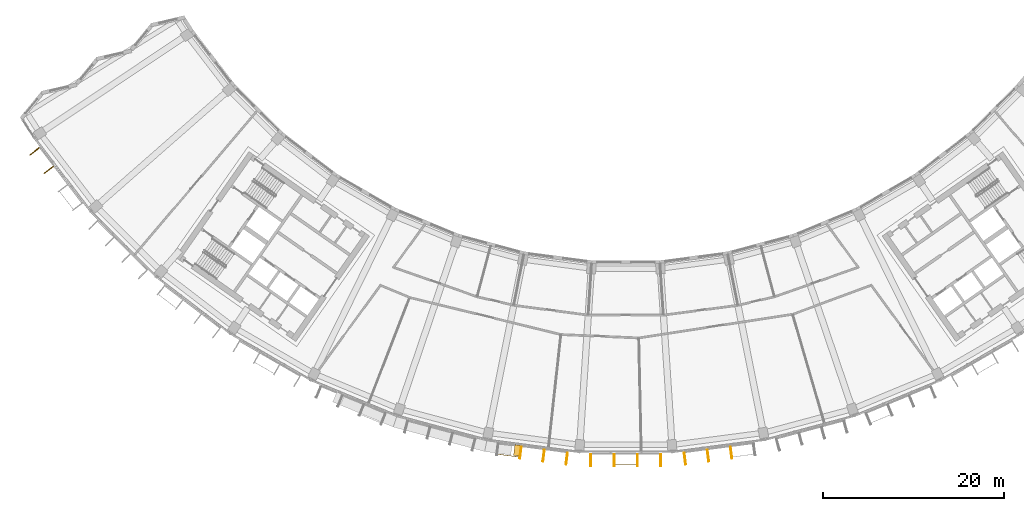
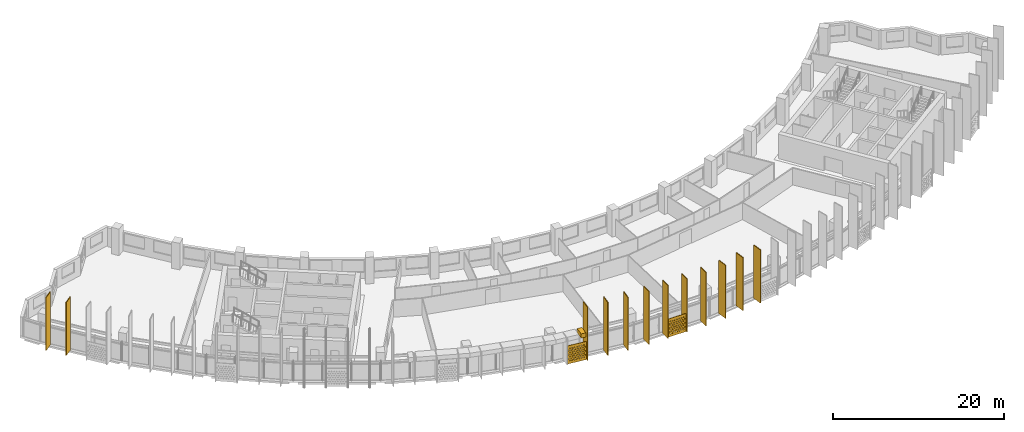
# One storey, part 25 of 28: 15 shading devices.
"""IFC4 building model written with IfcOpenShell, lengths in metres."""

from ifc_helpers import new_model, si_unit, direction, frame, origin, origin_2d, place, context, subcontext, project, spatial, polyline, rectangle, outline, extrude, material, material_profile, profile_set, type_object, element, save


model = new_model("IFC4")

# Units and contexts
model_context = context("Model", 3, precision=1e-05, world=origin(), true_north=direction((0.0, 1.0)))
body_context = subcontext(model_context, "Body", "Model", "MODEL_VIEW")
ifc_project = project(units=[si_unit("LENGTHUNIT", "METRE"), si_unit("AREAUNIT", "SQUARE_METRE"), si_unit("VOLUMEUNIT", "CUBIC_METRE"), si_unit("PLANEANGLEUNIT", "RADIAN"), si_unit("MASSUNIT", "GRAM", prefix="KILO")], contexts=[model_context])

# Site, building, storey
site_placement = place(None, origin())
site = spatial("IfcSite", under=ifc_project, at=site_placement, CompositionType="ELEMENT")
building_placement = place(site_placement, origin())
building = spatial("IfcBuilding", under=site, at=building_placement, Name="Qamariyya Broadcast Tower", CompositionType="ELEMENT")
storey_placement = place(building_placement, frame((0.0, 0.0, 226.5)))
storey = spatial("IfcBuildingStorey", under=building, at=storey_placement, Name="L54", CompositionType="ELEMENT", Elevation=226.5)

# Shading devices
ifc_material_1 = material(Name="Steel S355 powder coated deep red", Category="steel")
shading_device_type_1 = type_object("IfcShadingDeviceType", Name="Deep red frame, powder coated steel box section", PredefinedType="USERDEFINED", material=ifc_material_1)
shading_device_1_placement = place(storey_placement, frame((0.0, 0.0, 3.199951171875)))
element("IfcShadingDevice", 1, at=shading_device_1_placement, inside=storey, type_object=shading_device_type_1, Name="e-frm-B4-F1-postb-L54", ObjectType="FRAME", PredefinedType="USERDEFINED", context=body_context, shape_type="SweptSolid", body=[
    extrude(outline(polyline([(-12.2412109375, -77.547119140625), (-12.39794921875, -78.737060546875), (-11.802978515625, -78.815185546875), (-11.646484375, -77.62548828125), (-12.2412109375, -77.547119140625)])), origin(), (0.0, 0.0, 1.0), 0.60009765625),
])
ifc_material_2 = material(Name="Perforated glazed terracotta", Category="masonry")
ifc_material_profile_1 = material_profile(ifc_material_2, outline(polyline([(-1.199951171875, -1.300048828125), (1.199951171875, -1.300048828125), (1.199951171875, 1.300048828125), (-1.199951171875, 1.300048828125), (-1.199951171875, -1.300048828125)]), holes=[polyline([(-0.81494140625, -0.86669921875), (-0.89990234375, -0.78173828125), (-0.985107421875, -0.86669921875), (-0.89990234375, -0.95166015625), (-0.81494140625, -0.86669921875)]), polyline([(-0.514892578125, -0.86669921875), (-0.60009765625, -0.78173828125), (-0.68505859375, -0.86669921875), (-0.60009765625, -0.95166015625), (-0.514892578125, -0.86669921875)]), polyline([(-0.215087890625, -0.86669921875), (-0.300048828125, -0.78173828125), (-0.385009765625, -0.86669921875), (-0.300048828125, -0.95166015625), (-0.215087890625, -0.86669921875)]), polyline([(0.0849609375, -0.86669921875), (0.0, -0.78173828125), (-0.0849609375, -0.86669921875), (0.0, -0.95166015625), (0.0849609375, -0.86669921875)]), polyline([(0.385009765625, -0.86669921875), (0.300048828125, -0.78173828125), (0.215087890625, -0.86669921875), (0.300048828125, -0.95166015625), (0.385009765625, -0.86669921875)]), polyline([(0.68505859375, -0.86669921875), (0.60009765625, -0.78173828125), (0.514892578125, -0.86669921875), (0.60009765625, -0.95166015625), (0.68505859375, -0.86669921875)]), polyline([(0.985107421875, -0.86669921875), (0.89990234375, -0.78173828125), (0.81494140625, -0.86669921875), (0.89990234375, -0.95166015625), (0.985107421875, -0.86669921875)]), polyline([(-0.965087890625, -0.577880859375), (-1.050048828125, -0.49267578125), (-1.135009765625, -0.577880859375), (-1.050048828125, -0.662841796875), (-0.965087890625, -0.577880859375)]), polyline([(-0.6650390625, -0.577880859375), (-0.75, -0.49267578125), (-0.8349609375, -0.577880859375), (-0.75, -0.662841796875), (-0.6650390625, -0.577880859375)]), polyline([(-0.364990234375, -0.577880859375), (-0.449951171875, -0.49267578125), (-0.534912109375, -0.577880859375), (-0.449951171875, -0.662841796875), (-0.364990234375, -0.577880859375)]), polyline([(-0.06494140625, -0.577880859375), (-0.14990234375, -0.49267578125), (-0.235107421875, -0.577880859375), (-0.14990234375, -0.662841796875), (-0.06494140625, -0.577880859375)]), polyline([(0.235107421875, -0.577880859375), (0.14990234375, -0.49267578125), (0.06494140625, -0.577880859375), (0.14990234375, -0.662841796875), (0.235107421875, -0.577880859375)]), polyline([(0.534912109375, -0.577880859375), (0.449951171875, -0.49267578125), (0.364990234375, -0.577880859375), (0.449951171875, -0.662841796875), (0.534912109375, -0.577880859375)]), polyline([(0.8349609375, -0.577880859375), (0.75, -0.49267578125), (0.6650390625, -0.577880859375), (0.75, -0.662841796875), (0.8349609375, -0.577880859375)]), polyline([(1.135009765625, -0.577880859375), (1.050048828125, -0.49267578125), (0.965087890625, -0.577880859375), (1.050048828125, -0.662841796875), (1.135009765625, -0.577880859375)]), polyline([(-0.81494140625, -0.288818359375), (-0.89990234375, -0.203857421875), (-0.985107421875, -0.288818359375), (-0.89990234375, -0.373779296875), (-0.81494140625, -0.288818359375)]), polyline([(-0.514892578125, -0.288818359375), (-0.60009765625, -0.203857421875), (-0.68505859375, -0.288818359375), (-0.60009765625, -0.373779296875), (-0.514892578125, -0.288818359375)]), polyline([(-0.215087890625, -0.288818359375), (-0.300048828125, -0.203857421875), (-0.385009765625, -0.288818359375), (-0.300048828125, -0.373779296875), (-0.215087890625, -0.288818359375)]), polyline([(0.0849609375, -0.288818359375), (0.0, -0.203857421875), (-0.0849609375, -0.288818359375), (0.0, -0.373779296875), (0.0849609375, -0.288818359375)]), polyline([(0.385009765625, -0.288818359375), (0.300048828125, -0.203857421875), (0.215087890625, -0.288818359375), (0.300048828125, -0.373779296875), (0.385009765625, -0.288818359375)]), polyline([(0.68505859375, -0.288818359375), (0.60009765625, -0.203857421875), (0.514892578125, -0.288818359375), (0.60009765625, -0.373779296875), (0.68505859375, -0.288818359375)]), polyline([(0.985107421875, -0.288818359375), (0.89990234375, -0.203857421875), (0.81494140625, -0.288818359375), (0.89990234375, -0.373779296875), (0.985107421875, -0.288818359375)]), polyline([(-0.965087890625, 0.0), (-1.050048828125, 0.0849609375), (-1.135009765625, 0.0), (-1.050048828125, -0.0849609375), (-0.965087890625, 0.0)]), polyline([(-0.6650390625, 0.0), (-0.75, 0.0849609375), (-0.8349609375, 0.0), (-0.75, -0.0849609375), (-0.6650390625, 0.0)]), polyline([(-0.364990234375, 0.0), (-0.449951171875, 0.0849609375), (-0.534912109375, 0.0), (-0.449951171875, -0.0849609375), (-0.364990234375, 0.0)]), polyline([(-0.06494140625, 0.0), (-0.14990234375, 0.0849609375), (-0.235107421875, 0.0), (-0.14990234375, -0.0849609375), (-0.06494140625, 0.0)]), polyline([(0.235107421875, 0.0), (0.14990234375, 0.0849609375), (0.06494140625, 0.0), (0.14990234375, -0.0849609375), (0.235107421875, 0.0)]), polyline([(0.534912109375, 0.0), (0.449951171875, 0.0849609375), (0.364990234375, 0.0), (0.449951171875, -0.0849609375), (0.534912109375, 0.0)]), polyline([(0.8349609375, 0.0), (0.75, 0.0849609375), (0.6650390625, 0.0), (0.75, -0.0849609375), (0.8349609375, 0.0)]), polyline([(1.135009765625, 0.0), (1.050048828125, 0.0849609375), (0.965087890625, 0.0), (1.050048828125, -0.0849609375), (1.135009765625, 0.0)]), polyline([(-0.81494140625, 0.288818359375), (-0.89990234375, 0.373779296875), (-0.985107421875, 0.288818359375), (-0.89990234375, 0.203857421875), (-0.81494140625, 0.288818359375)]), polyline([(-0.514892578125, 0.288818359375), (-0.60009765625, 0.373779296875), (-0.68505859375, 0.288818359375), (-0.60009765625, 0.203857421875), (-0.514892578125, 0.288818359375)]), polyline([(-0.215087890625, 0.288818359375), (-0.300048828125, 0.373779296875), (-0.385009765625, 0.288818359375), (-0.300048828125, 0.203857421875), (-0.215087890625, 0.288818359375)]), polyline([(0.0849609375, 0.288818359375), (0.0, 0.373779296875), (-0.0849609375, 0.288818359375), (0.0, 0.203857421875), (0.0849609375, 0.288818359375)]), polyline([(0.385009765625, 0.288818359375), (0.300048828125, 0.373779296875), (0.215087890625, 0.288818359375), (0.300048828125, 0.203857421875), (0.385009765625, 0.288818359375)]), polyline([(0.68505859375, 0.288818359375), (0.60009765625, 0.373779296875), (0.514892578125, 0.288818359375), (0.60009765625, 0.203857421875), (0.68505859375, 0.288818359375)]), polyline([(0.985107421875, 0.288818359375), (0.89990234375, 0.373779296875), (0.81494140625, 0.288818359375), (0.89990234375, 0.203857421875), (0.985107421875, 0.288818359375)]), polyline([(-0.965087890625, 0.577880859375), (-1.050048828125, 0.662841796875), (-1.135009765625, 0.577880859375), (-1.050048828125, 0.49267578125), (-0.965087890625, 0.577880859375)]), polyline([(-0.6650390625, 0.577880859375), (-0.75, 0.662841796875), (-0.8349609375, 0.577880859375), (-0.75, 0.49267578125), (-0.6650390625, 0.577880859375)]), polyline([(-0.364990234375, 0.577880859375), (-0.449951171875, 0.662841796875), (-0.534912109375, 0.577880859375), (-0.449951171875, 0.49267578125), (-0.364990234375, 0.577880859375)]), polyline([(-0.06494140625, 0.577880859375), (-0.14990234375, 0.662841796875), (-0.235107421875, 0.577880859375), (-0.14990234375, 0.49267578125), (-0.06494140625, 0.577880859375)]), polyline([(0.235107421875, 0.577880859375), (0.14990234375, 0.662841796875), (0.06494140625, 0.577880859375), (0.14990234375, 0.49267578125), (0.235107421875, 0.577880859375)]), polyline([(0.534912109375, 0.577880859375), (0.449951171875, 0.662841796875), (0.364990234375, 0.577880859375), (0.449951171875, 0.49267578125), (0.534912109375, 0.577880859375)]), polyline([(0.8349609375, 0.577880859375), (0.75, 0.662841796875), (0.6650390625, 0.577880859375), (0.75, 0.49267578125), (0.8349609375, 0.577880859375)]), polyline([(1.135009765625, 0.577880859375), (1.050048828125, 0.662841796875), (0.965087890625, 0.577880859375), (1.050048828125, 0.49267578125), (1.135009765625, 0.577880859375)]), polyline([(-0.81494140625, 0.86669921875), (-0.89990234375, 0.95166015625), (-0.985107421875, 0.86669921875), (-0.89990234375, 0.78173828125), (-0.81494140625, 0.86669921875)]), polyline([(-0.514892578125, 0.86669921875), (-0.60009765625, 0.95166015625), (-0.68505859375, 0.86669921875), (-0.60009765625, 0.78173828125), (-0.514892578125, 0.86669921875)]), polyline([(-0.215087890625, 0.86669921875), (-0.300048828125, 0.95166015625), (-0.385009765625, 0.86669921875), (-0.300048828125, 0.78173828125), (-0.215087890625, 0.86669921875)]), polyline([(0.0849609375, 0.86669921875), (0.0, 0.95166015625), (-0.0849609375, 0.86669921875), (0.0, 0.78173828125), (0.0849609375, 0.86669921875)]), polyline([(0.385009765625, 0.86669921875), (0.300048828125, 0.95166015625), (0.215087890625, 0.86669921875), (0.300048828125, 0.78173828125), (0.385009765625, 0.86669921875)]), polyline([(0.68505859375, 0.86669921875), (0.60009765625, 0.95166015625), (0.514892578125, 0.86669921875), (0.60009765625, 0.78173828125), (0.68505859375, 0.86669921875)]), polyline([(0.985107421875, 0.86669921875), (0.89990234375, 0.95166015625), (0.81494140625, 0.86669921875), (0.89990234375, 0.78173828125), (0.985107421875, 0.86669921875)])]))
ifc_profile_set_1 = profile_set([ifc_material_profile_1], Name="Perforated glazed terracotta")
shading_device_type_2 = type_object("IfcShadingDeviceType", Name="Perforated terracotta screen 2400 x 2600", PredefinedType="USERDEFINED", material=ifc_profile_set_1)
shading_device_2_placement = place(storey_placement, frame((-12.995361328125, -78.72900390625, 1.35009765625), z_axis=(-0.13056005306, -0.991440402921, 0.0), x_axis=(0.991440402921, -0.13056005306, 0.0)))
element("IfcShadingDevice", 2, at=shading_device_2_placement, inside=storey, type_object=shading_device_type_2, Name="e-scr-L54-07-0", ObjectType="SCREEN", PredefinedType="USERDEFINED", context=body_context, shape_type="SweptSolid", body=[
    extrude(outline(polyline([(-1.199951171875, -1.300048828125), (1.199951171875, -1.300048828125), (1.199951171875, 1.300048828125), (-1.199951171875, 1.300048828125), (-1.199951171875, -1.300048828125)]), holes=[polyline([(-0.81494140625, -0.86669921875), (-0.89990234375, -0.78173828125), (-0.985107421875, -0.86669921875), (-0.89990234375, -0.95166015625), (-0.81494140625, -0.86669921875)]), polyline([(-0.514892578125, -0.86669921875), (-0.60009765625, -0.78173828125), (-0.68505859375, -0.86669921875), (-0.60009765625, -0.95166015625), (-0.514892578125, -0.86669921875)]), polyline([(-0.215087890625, -0.86669921875), (-0.300048828125, -0.78173828125), (-0.385009765625, -0.86669921875), (-0.300048828125, -0.95166015625), (-0.215087890625, -0.86669921875)]), polyline([(0.0849609375, -0.86669921875), (0.0, -0.78173828125), (-0.0849609375, -0.86669921875), (0.0, -0.95166015625), (0.0849609375, -0.86669921875)]), polyline([(0.385009765625, -0.86669921875), (0.300048828125, -0.78173828125), (0.215087890625, -0.86669921875), (0.300048828125, -0.95166015625), (0.385009765625, -0.86669921875)]), polyline([(0.68505859375, -0.86669921875), (0.60009765625, -0.78173828125), (0.514892578125, -0.86669921875), (0.60009765625, -0.95166015625), (0.68505859375, -0.86669921875)]), polyline([(0.985107421875, -0.86669921875), (0.89990234375, -0.78173828125), (0.81494140625, -0.86669921875), (0.89990234375, -0.95166015625), (0.985107421875, -0.86669921875)]), polyline([(-0.965087890625, -0.577880859375), (-1.050048828125, -0.49267578125), (-1.135009765625, -0.577880859375), (-1.050048828125, -0.662841796875), (-0.965087890625, -0.577880859375)]), polyline([(-0.6650390625, -0.577880859375), (-0.75, -0.49267578125), (-0.8349609375, -0.577880859375), (-0.75, -0.662841796875), (-0.6650390625, -0.577880859375)]), polyline([(-0.364990234375, -0.577880859375), (-0.449951171875, -0.49267578125), (-0.534912109375, -0.577880859375), (-0.449951171875, -0.662841796875), (-0.364990234375, -0.577880859375)]), polyline([(-0.06494140625, -0.577880859375), (-0.14990234375, -0.49267578125), (-0.235107421875, -0.577880859375), (-0.14990234375, -0.662841796875), (-0.06494140625, -0.577880859375)]), polyline([(0.235107421875, -0.577880859375), (0.14990234375, -0.49267578125), (0.06494140625, -0.577880859375), (0.14990234375, -0.662841796875), (0.235107421875, -0.577880859375)]), polyline([(0.534912109375, -0.577880859375), (0.449951171875, -0.49267578125), (0.364990234375, -0.577880859375), (0.449951171875, -0.662841796875), (0.534912109375, -0.577880859375)]), polyline([(0.8349609375, -0.577880859375), (0.75, -0.49267578125), (0.6650390625, -0.577880859375), (0.75, -0.662841796875), (0.8349609375, -0.577880859375)]), polyline([(1.135009765625, -0.577880859375), (1.050048828125, -0.49267578125), (0.965087890625, -0.577880859375), (1.050048828125, -0.662841796875), (1.135009765625, -0.577880859375)]), polyline([(-0.81494140625, -0.288818359375), (-0.89990234375, -0.203857421875), (-0.985107421875, -0.288818359375), (-0.89990234375, -0.373779296875), (-0.81494140625, -0.288818359375)]), polyline([(-0.514892578125, -0.288818359375), (-0.60009765625, -0.203857421875), (-0.68505859375, -0.288818359375), (-0.60009765625, -0.373779296875), (-0.514892578125, -0.288818359375)]), polyline([(-0.215087890625, -0.288818359375), (-0.300048828125, -0.203857421875), (-0.385009765625, -0.288818359375), (-0.300048828125, -0.373779296875), (-0.215087890625, -0.288818359375)]), polyline([(0.0849609375, -0.288818359375), (0.0, -0.203857421875), (-0.0849609375, -0.288818359375), (0.0, -0.373779296875), (0.0849609375, -0.288818359375)]), polyline([(0.385009765625, -0.288818359375), (0.300048828125, -0.203857421875), (0.215087890625, -0.288818359375), (0.300048828125, -0.373779296875), (0.385009765625, -0.288818359375)]), polyline([(0.68505859375, -0.288818359375), (0.60009765625, -0.203857421875), (0.514892578125, -0.288818359375), (0.60009765625, -0.373779296875), (0.68505859375, -0.288818359375)]), polyline([(0.985107421875, -0.288818359375), (0.89990234375, -0.203857421875), (0.81494140625, -0.288818359375), (0.89990234375, -0.373779296875), (0.985107421875, -0.288818359375)]), polyline([(-0.965087890625, 0.0), (-1.050048828125, 0.0849609375), (-1.135009765625, 0.0), (-1.050048828125, -0.0849609375), (-0.965087890625, 0.0)]), polyline([(-0.6650390625, 0.0), (-0.75, 0.0849609375), (-0.8349609375, 0.0), (-0.75, -0.0849609375), (-0.6650390625, 0.0)]), polyline([(-0.364990234375, 0.0), (-0.449951171875, 0.0849609375), (-0.534912109375, 0.0), (-0.449951171875, -0.0849609375), (-0.364990234375, 0.0)]), polyline([(-0.06494140625, 0.0), (-0.14990234375, 0.0849609375), (-0.235107421875, 0.0), (-0.14990234375, -0.0849609375), (-0.06494140625, 0.0)]), polyline([(0.235107421875, 0.0), (0.14990234375, 0.0849609375), (0.06494140625, 0.0), (0.14990234375, -0.0849609375), (0.235107421875, 0.0)]), polyline([(0.534912109375, 0.0), (0.449951171875, 0.0849609375), (0.364990234375, 0.0), (0.449951171875, -0.0849609375), (0.534912109375, 0.0)]), polyline([(0.8349609375, 0.0), (0.75, 0.0849609375), (0.6650390625, 0.0), (0.75, -0.0849609375), (0.8349609375, 0.0)]), polyline([(1.135009765625, 0.0), (1.050048828125, 0.0849609375), (0.965087890625, 0.0), (1.050048828125, -0.0849609375), (1.135009765625, 0.0)]), polyline([(-0.81494140625, 0.288818359375), (-0.89990234375, 0.373779296875), (-0.985107421875, 0.288818359375), (-0.89990234375, 0.203857421875), (-0.81494140625, 0.288818359375)]), polyline([(-0.514892578125, 0.288818359375), (-0.60009765625, 0.373779296875), (-0.68505859375, 0.288818359375), (-0.60009765625, 0.203857421875), (-0.514892578125, 0.288818359375)]), polyline([(-0.215087890625, 0.288818359375), (-0.300048828125, 0.373779296875), (-0.385009765625, 0.288818359375), (-0.300048828125, 0.203857421875), (-0.215087890625, 0.288818359375)]), polyline([(0.0849609375, 0.288818359375), (0.0, 0.373779296875), (-0.0849609375, 0.288818359375), (0.0, 0.203857421875), (0.0849609375, 0.288818359375)]), polyline([(0.385009765625, 0.288818359375), (0.300048828125, 0.373779296875), (0.215087890625, 0.288818359375), (0.300048828125, 0.203857421875), (0.385009765625, 0.288818359375)]), polyline([(0.68505859375, 0.288818359375), (0.60009765625, 0.373779296875), (0.514892578125, 0.288818359375), (0.60009765625, 0.203857421875), (0.68505859375, 0.288818359375)]), polyline([(0.985107421875, 0.288818359375), (0.89990234375, 0.373779296875), (0.81494140625, 0.288818359375), (0.89990234375, 0.203857421875), (0.985107421875, 0.288818359375)]), polyline([(-0.965087890625, 0.577880859375), (-1.050048828125, 0.662841796875), (-1.135009765625, 0.577880859375), (-1.050048828125, 0.49267578125), (-0.965087890625, 0.577880859375)]), polyline([(-0.6650390625, 0.577880859375), (-0.75, 0.662841796875), (-0.8349609375, 0.577880859375), (-0.75, 0.49267578125), (-0.6650390625, 0.577880859375)]), polyline([(-0.364990234375, 0.577880859375), (-0.449951171875, 0.662841796875), (-0.534912109375, 0.577880859375), (-0.449951171875, 0.49267578125), (-0.364990234375, 0.577880859375)]), polyline([(-0.06494140625, 0.577880859375), (-0.14990234375, 0.662841796875), (-0.235107421875, 0.577880859375), (-0.14990234375, 0.49267578125), (-0.06494140625, 0.577880859375)]), polyline([(0.235107421875, 0.577880859375), (0.14990234375, 0.662841796875), (0.06494140625, 0.577880859375), (0.14990234375, 0.49267578125), (0.235107421875, 0.577880859375)]), polyline([(0.534912109375, 0.577880859375), (0.449951171875, 0.662841796875), (0.364990234375, 0.577880859375), (0.449951171875, 0.49267578125), (0.534912109375, 0.577880859375)]), polyline([(0.8349609375, 0.577880859375), (0.75, 0.662841796875), (0.6650390625, 0.577880859375), (0.75, 0.49267578125), (0.8349609375, 0.577880859375)]), polyline([(1.135009765625, 0.577880859375), (1.050048828125, 0.662841796875), (0.965087890625, 0.577880859375), (1.050048828125, 0.49267578125), (1.135009765625, 0.577880859375)]), polyline([(-0.81494140625, 0.86669921875), (-0.89990234375, 0.95166015625), (-0.985107421875, 0.86669921875), (-0.89990234375, 0.78173828125), (-0.81494140625, 0.86669921875)]), polyline([(-0.514892578125, 0.86669921875), (-0.60009765625, 0.95166015625), (-0.68505859375, 0.86669921875), (-0.60009765625, 0.78173828125), (-0.514892578125, 0.86669921875)]), polyline([(-0.215087890625, 0.86669921875), (-0.300048828125, 0.95166015625), (-0.385009765625, 0.86669921875), (-0.300048828125, 0.78173828125), (-0.215087890625, 0.86669921875)]), polyline([(0.0849609375, 0.86669921875), (0.0, 0.95166015625), (-0.0849609375, 0.86669921875), (0.0, 0.78173828125), (0.0849609375, 0.86669921875)]), polyline([(0.385009765625, 0.86669921875), (0.300048828125, 0.95166015625), (0.215087890625, 0.86669921875), (0.300048828125, 0.78173828125), (0.385009765625, 0.86669921875)]), polyline([(0.68505859375, 0.86669921875), (0.60009765625, 0.95166015625), (0.514892578125, 0.86669921875), (0.60009765625, 0.78173828125), (0.68505859375, 0.86669921875)]), polyline([(0.985107421875, 0.86669921875), (0.89990234375, 0.95166015625), (0.81494140625, 0.86669921875), (0.89990234375, 0.78173828125), (0.985107421875, 0.86669921875)])]), origin(), (0.0, 0.0, 1.0), 0.059814453125),
])
shading_device_3_placement = place(storey_placement, frame((-0.035888671875, -79.751708984375, 1.35009765625), z_axis=(0.0, -1.0, 0.0), x_axis=(1.0, 0.0, 0.0)))
element("IfcShadingDevice", 3, at=shading_device_3_placement, inside=storey, type_object=shading_device_type_2, Name="e-scr-L54-08-1", ObjectType="SCREEN", PredefinedType="USERDEFINED", context=body_context, shape_type="SweptSolid", body=[
    extrude(outline(polyline([(-1.199951171875, -1.300048828125), (1.199951171875, -1.300048828125), (1.199951171875, 1.300048828125), (-1.199951171875, 1.300048828125), (-1.199951171875, -1.300048828125)]), holes=[polyline([(-0.81494140625, -0.86669921875), (-0.89990234375, -0.78173828125), (-0.985107421875, -0.86669921875), (-0.89990234375, -0.95166015625), (-0.81494140625, -0.86669921875)]), polyline([(-0.514892578125, -0.86669921875), (-0.60009765625, -0.78173828125), (-0.68505859375, -0.86669921875), (-0.60009765625, -0.95166015625), (-0.514892578125, -0.86669921875)]), polyline([(-0.215087890625, -0.86669921875), (-0.300048828125, -0.78173828125), (-0.385009765625, -0.86669921875), (-0.300048828125, -0.95166015625), (-0.215087890625, -0.86669921875)]), polyline([(0.0849609375, -0.86669921875), (0.0, -0.78173828125), (-0.0849609375, -0.86669921875), (0.0, -0.95166015625), (0.0849609375, -0.86669921875)]), polyline([(0.385009765625, -0.86669921875), (0.300048828125, -0.78173828125), (0.215087890625, -0.86669921875), (0.300048828125, -0.95166015625), (0.385009765625, -0.86669921875)]), polyline([(0.68505859375, -0.86669921875), (0.60009765625, -0.78173828125), (0.514892578125, -0.86669921875), (0.60009765625, -0.95166015625), (0.68505859375, -0.86669921875)]), polyline([(0.985107421875, -0.86669921875), (0.89990234375, -0.78173828125), (0.81494140625, -0.86669921875), (0.89990234375, -0.95166015625), (0.985107421875, -0.86669921875)]), polyline([(-0.965087890625, -0.577880859375), (-1.050048828125, -0.49267578125), (-1.135009765625, -0.577880859375), (-1.050048828125, -0.662841796875), (-0.965087890625, -0.577880859375)]), polyline([(-0.6650390625, -0.577880859375), (-0.75, -0.49267578125), (-0.8349609375, -0.577880859375), (-0.75, -0.662841796875), (-0.6650390625, -0.577880859375)]), polyline([(-0.364990234375, -0.577880859375), (-0.449951171875, -0.49267578125), (-0.534912109375, -0.577880859375), (-0.449951171875, -0.662841796875), (-0.364990234375, -0.577880859375)]), polyline([(-0.06494140625, -0.577880859375), (-0.14990234375, -0.49267578125), (-0.235107421875, -0.577880859375), (-0.14990234375, -0.662841796875), (-0.06494140625, -0.577880859375)]), polyline([(0.235107421875, -0.577880859375), (0.14990234375, -0.49267578125), (0.06494140625, -0.577880859375), (0.14990234375, -0.662841796875), (0.235107421875, -0.577880859375)]), polyline([(0.534912109375, -0.577880859375), (0.449951171875, -0.49267578125), (0.364990234375, -0.577880859375), (0.449951171875, -0.662841796875), (0.534912109375, -0.577880859375)]), polyline([(0.8349609375, -0.577880859375), (0.75, -0.49267578125), (0.6650390625, -0.577880859375), (0.75, -0.662841796875), (0.8349609375, -0.577880859375)]), polyline([(1.135009765625, -0.577880859375), (1.050048828125, -0.49267578125), (0.965087890625, -0.577880859375), (1.050048828125, -0.662841796875), (1.135009765625, -0.577880859375)]), polyline([(-0.81494140625, -0.288818359375), (-0.89990234375, -0.203857421875), (-0.985107421875, -0.288818359375), (-0.89990234375, -0.373779296875), (-0.81494140625, -0.288818359375)]), polyline([(-0.514892578125, -0.288818359375), (-0.60009765625, -0.203857421875), (-0.68505859375, -0.288818359375), (-0.60009765625, -0.373779296875), (-0.514892578125, -0.288818359375)]), polyline([(-0.215087890625, -0.288818359375), (-0.300048828125, -0.203857421875), (-0.385009765625, -0.288818359375), (-0.300048828125, -0.373779296875), (-0.215087890625, -0.288818359375)]), polyline([(0.0849609375, -0.288818359375), (0.0, -0.203857421875), (-0.0849609375, -0.288818359375), (0.0, -0.373779296875), (0.0849609375, -0.288818359375)]), polyline([(0.385009765625, -0.288818359375), (0.300048828125, -0.203857421875), (0.215087890625, -0.288818359375), (0.300048828125, -0.373779296875), (0.385009765625, -0.288818359375)]), polyline([(0.68505859375, -0.288818359375), (0.60009765625, -0.203857421875), (0.514892578125, -0.288818359375), (0.60009765625, -0.373779296875), (0.68505859375, -0.288818359375)]), polyline([(0.985107421875, -0.288818359375), (0.89990234375, -0.203857421875), (0.81494140625, -0.288818359375), (0.89990234375, -0.373779296875), (0.985107421875, -0.288818359375)]), polyline([(-0.965087890625, 0.0), (-1.050048828125, 0.0849609375), (-1.135009765625, 0.0), (-1.050048828125, -0.0849609375), (-0.965087890625, 0.0)]), polyline([(-0.6650390625, 0.0), (-0.75, 0.0849609375), (-0.8349609375, 0.0), (-0.75, -0.0849609375), (-0.6650390625, 0.0)]), polyline([(-0.364990234375, 0.0), (-0.449951171875, 0.0849609375), (-0.534912109375, 0.0), (-0.449951171875, -0.0849609375), (-0.364990234375, 0.0)]), polyline([(-0.06494140625, 0.0), (-0.14990234375, 0.0849609375), (-0.235107421875, 0.0), (-0.14990234375, -0.0849609375), (-0.06494140625, 0.0)]), polyline([(0.235107421875, 0.0), (0.14990234375, 0.0849609375), (0.06494140625, 0.0), (0.14990234375, -0.0849609375), (0.235107421875, 0.0)]), polyline([(0.534912109375, 0.0), (0.449951171875, 0.0849609375), (0.364990234375, 0.0), (0.449951171875, -0.0849609375), (0.534912109375, 0.0)]), polyline([(0.8349609375, 0.0), (0.75, 0.0849609375), (0.6650390625, 0.0), (0.75, -0.0849609375), (0.8349609375, 0.0)]), polyline([(1.135009765625, 0.0), (1.050048828125, 0.0849609375), (0.965087890625, 0.0), (1.050048828125, -0.0849609375), (1.135009765625, 0.0)]), polyline([(-0.81494140625, 0.288818359375), (-0.89990234375, 0.373779296875), (-0.985107421875, 0.288818359375), (-0.89990234375, 0.203857421875), (-0.81494140625, 0.288818359375)]), polyline([(-0.514892578125, 0.288818359375), (-0.60009765625, 0.373779296875), (-0.68505859375, 0.288818359375), (-0.60009765625, 0.203857421875), (-0.514892578125, 0.288818359375)]), polyline([(-0.215087890625, 0.288818359375), (-0.300048828125, 0.373779296875), (-0.385009765625, 0.288818359375), (-0.300048828125, 0.203857421875), (-0.215087890625, 0.288818359375)]), polyline([(0.0849609375, 0.288818359375), (0.0, 0.373779296875), (-0.0849609375, 0.288818359375), (0.0, 0.203857421875), (0.0849609375, 0.288818359375)]), polyline([(0.385009765625, 0.288818359375), (0.300048828125, 0.373779296875), (0.215087890625, 0.288818359375), (0.300048828125, 0.203857421875), (0.385009765625, 0.288818359375)]), polyline([(0.68505859375, 0.288818359375), (0.60009765625, 0.373779296875), (0.514892578125, 0.288818359375), (0.60009765625, 0.203857421875), (0.68505859375, 0.288818359375)]), polyline([(0.985107421875, 0.288818359375), (0.89990234375, 0.373779296875), (0.81494140625, 0.288818359375), (0.89990234375, 0.203857421875), (0.985107421875, 0.288818359375)]), polyline([(-0.965087890625, 0.577880859375), (-1.050048828125, 0.662841796875), (-1.135009765625, 0.577880859375), (-1.050048828125, 0.49267578125), (-0.965087890625, 0.577880859375)]), polyline([(-0.6650390625, 0.577880859375), (-0.75, 0.662841796875), (-0.8349609375, 0.577880859375), (-0.75, 0.49267578125), (-0.6650390625, 0.577880859375)]), polyline([(-0.364990234375, 0.577880859375), (-0.449951171875, 0.662841796875), (-0.534912109375, 0.577880859375), (-0.449951171875, 0.49267578125), (-0.364990234375, 0.577880859375)]), polyline([(-0.06494140625, 0.577880859375), (-0.14990234375, 0.662841796875), (-0.235107421875, 0.577880859375), (-0.14990234375, 0.49267578125), (-0.06494140625, 0.577880859375)]), polyline([(0.235107421875, 0.577880859375), (0.14990234375, 0.662841796875), (0.06494140625, 0.577880859375), (0.14990234375, 0.49267578125), (0.235107421875, 0.577880859375)]), polyline([(0.534912109375, 0.577880859375), (0.449951171875, 0.662841796875), (0.364990234375, 0.577880859375), (0.449951171875, 0.49267578125), (0.534912109375, 0.577880859375)]), polyline([(0.8349609375, 0.577880859375), (0.75, 0.662841796875), (0.6650390625, 0.577880859375), (0.75, 0.49267578125), (0.8349609375, 0.577880859375)]), polyline([(1.135009765625, 0.577880859375), (1.050048828125, 0.662841796875), (0.965087890625, 0.577880859375), (1.050048828125, 0.49267578125), (1.135009765625, 0.577880859375)]), polyline([(-0.81494140625, 0.86669921875), (-0.89990234375, 0.95166015625), (-0.985107421875, 0.86669921875), (-0.89990234375, 0.78173828125), (-0.81494140625, 0.86669921875)]), polyline([(-0.514892578125, 0.86669921875), (-0.60009765625, 0.95166015625), (-0.68505859375, 0.86669921875), (-0.60009765625, 0.78173828125), (-0.514892578125, 0.86669921875)]), polyline([(-0.215087890625, 0.86669921875), (-0.300048828125, 0.95166015625), (-0.385009765625, 0.86669921875), (-0.300048828125, 0.78173828125), (-0.215087890625, 0.86669921875)]), polyline([(0.0849609375, 0.86669921875), (0.0, 0.95166015625), (-0.0849609375, 0.86669921875), (0.0, 0.78173828125), (0.0849609375, 0.86669921875)]), polyline([(0.385009765625, 0.86669921875), (0.300048828125, 0.95166015625), (0.215087890625, 0.86669921875), (0.300048828125, 0.78173828125), (0.385009765625, 0.86669921875)]), polyline([(0.68505859375, 0.86669921875), (0.60009765625, 0.95166015625), (0.514892578125, 0.86669921875), (0.60009765625, 0.78173828125), (0.68505859375, 0.86669921875)]), polyline([(0.985107421875, 0.86669921875), (0.89990234375, 0.95166015625), (0.81494140625, 0.86669921875), (0.89990234375, 0.78173828125), (0.985107421875, 0.86669921875)])]), origin(), (0.0, 0.0, 1.0), 0.059814453125),
])
ifc_material_3 = material(Name="Glazed terracotta", Category="masonry")
ifc_material_profile_2 = material_profile(ifc_material_3, rectangle(XDim=1.300048828125, YDim=0.10009765625, at=origin_2d()))
ifc_profile_set_2 = profile_set([ifc_material_profile_2], Name="Glazed terracotta")
shading_device_type_3 = type_object("IfcShadingDeviceType", Name="Terracotta fin 100 x 1300", PredefinedType="USERDEFINED", material=ifc_profile_set_2)
for number, where, z_axis, x_axis, name in (
    (4, (-65.246826171875, -45.202880859375, 0.0), (0.0, 0.0, 1.0), (-0.793353340291, -0.608761429009, 0.0), "e-fin-L54-01-0"),
    (5, (-63.68115234375, -47.243408203125, 0.0), (0.0, 0.0, 1.0), (-0.793353340291, -0.608761429009, 0.0), "e-fin-L54-01-1"),
    (6, (-11.623291015625, -78.435546875, 0.0), (0.0, 0.0, 1.0), (-0.13052619222, -0.991444861374, 0.0), "e-fin-L54-07-1"),
    (7, (-9.0732421875, -78.771240234375, 0.0), (0.0, 0.0, 1.0), (-0.13052619222, -0.991444861374, 0.0), "e-fin-L54-07-2"),
    (8, (-6.5234375, -79.10693359375, 0.0), (0.0, 0.0, 1.0), (-0.13052619222, -0.991444861374, 0.0), "e-fin-L54-07-3"),
    (9, (-3.85791015625, -79.281494140625, 0.0), (0.0, 0.0, 1.0), (0.0, -1.0, 0.0), "e-fin-L54-08-0"),
    (10, (-1.285888671875, -79.281494140625, 0.0), (0.0, 0.0, 1.0), (0.0, -1.0, 0.0), "e-fin-L54-08-1"),
    (11, (1.285888671875, -79.281494140625, 0.0), (0.0, 0.0, 1.0), (0.0, -1.0, 0.0), "e-fin-L54-08-2"),
    (12, (3.85791015625, -79.281494140625, 0.0), (0.0, 0.0, 1.0), (0.0, -1.0, 0.0), "e-fin-L54-08-3"),
    (13, (6.5234375, -79.10693359375, 0.0), (0.0, 0.0, 1.0), (0.13052619222, -0.991444861374, 0.0), "e-fin-L54-09-0"),
    (14, (9.0732421875, -78.771240234375, 0.0), (0.0, 0.0, 1.0), (0.13052619222, -0.991444861374, 0.0), "e-fin-L54-09-1"),
    (15, (11.623291015625, -78.435546875, 0.0), (0.0, 0.0, 1.0), (0.13052619222, -0.991444861374, 0.0), "e-fin-L54-09-2"),
):
    element("IfcShadingDevice", number, at=place(storey_placement, frame(where, z_axis=z_axis, x_axis=x_axis)), inside=storey, type_object=shading_device_type_3, Name=name, ObjectType="FIN", PredefinedType="USERDEFINED", context=body_context, shape_type="SweptSolid", body=[
        extrude(rectangle(XDim=1.300048828125, YDim=0.10009765625, at=origin_2d()), origin(), (0.0, 0.0, 1.0), 7.60009765625),
    ])

save(model, "model.ifc")
